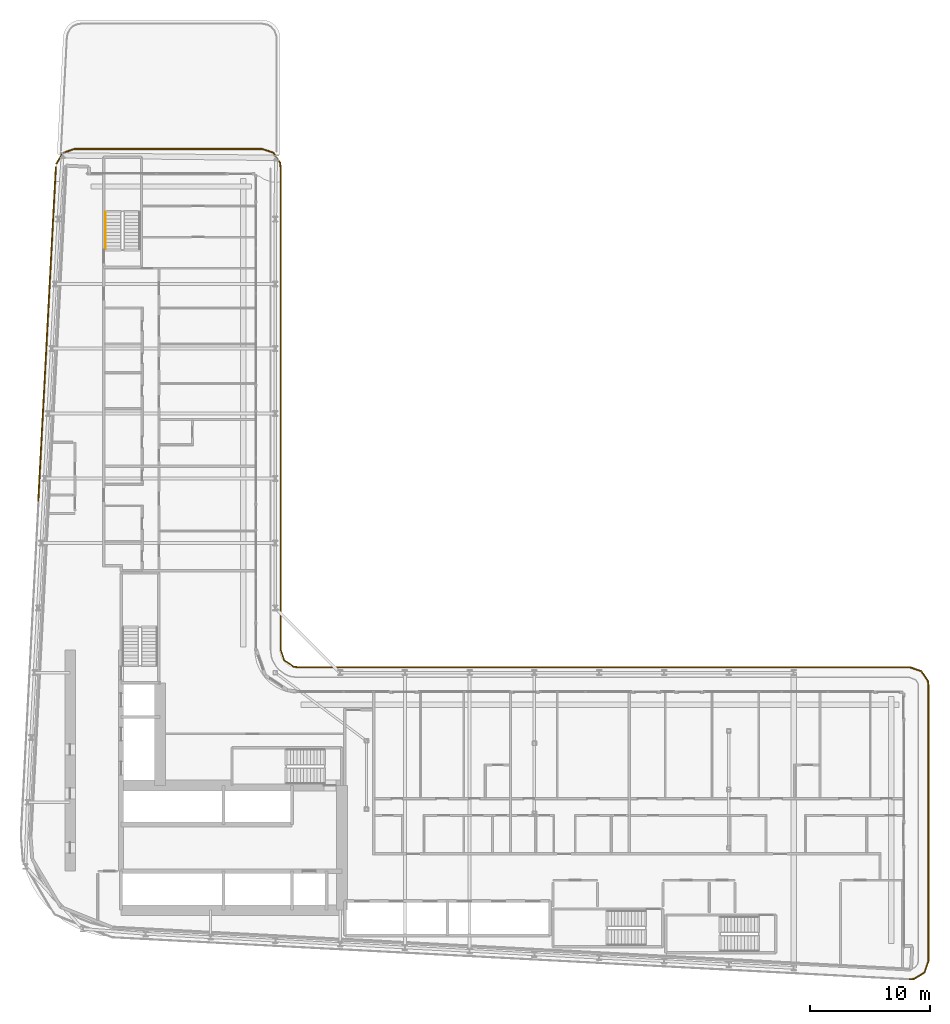
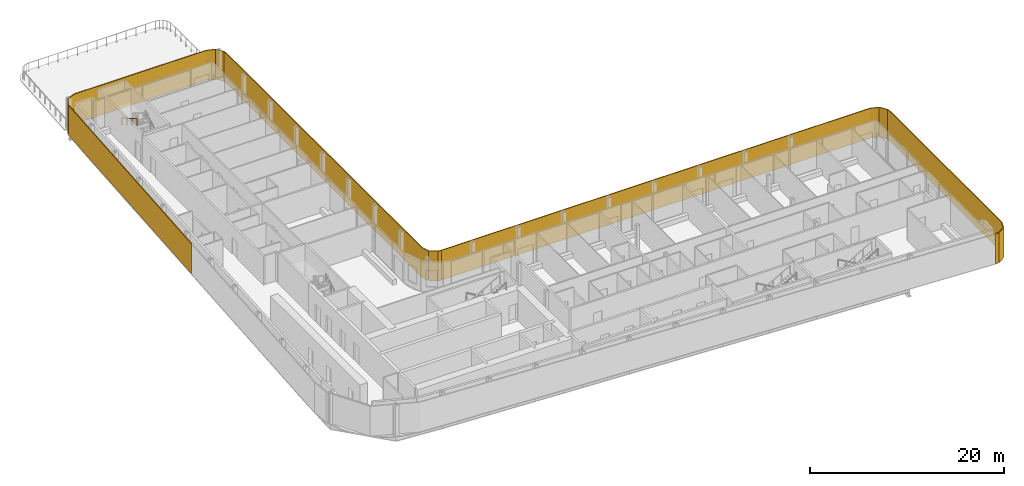
# One storey, part 25 of 28: 3 shading devices, 1 railing.
"""IFC4 building model written with IfcOpenShell, lengths in metres."""

from ifc_helpers import new_model, si_unit, direction, frame, origin, origin_2d, place, context, subcontext, project, spatial, polyline, rectangle, circle, outline, extrude, material, layer, layer_set, type_object, element, save


model = new_model("IFC4")

# Units and contexts
model_context = context("Model", 3, precision=1e-05, world=origin(), true_north=direction((0.0, 1.0)))
body_context = subcontext(model_context, "Body", "Model", "MODEL_VIEW")
ifc_project = project(units=[si_unit("LENGTHUNIT", "METRE"), si_unit("AREAUNIT", "SQUARE_METRE"), si_unit("VOLUMEUNIT", "CUBIC_METRE"), si_unit("PLANEANGLEUNIT", "RADIAN"), si_unit("MASSUNIT", "GRAM", prefix="KILO")], contexts=[model_context])

# Site, building, storey
site_placement = place(None, origin())
site = spatial("IfcSite", under=ifc_project, at=site_placement, CompositionType="ELEMENT")
building_placement = place(site_placement, origin())
building = spatial("IfcBuilding", under=site, at=building_placement, Name="Kheshtan School and Residences Tower", CompositionType="ELEMENT")
storey_placement = place(building_placement, frame((0.0, 0.0, 94.10009765625)))
storey = spatial("IfcBuildingStorey", under=building, at=storey_placement, Name="L21", CompositionType="ELEMENT", Elevation=94.10009765625)

# Shading devices
ifc_material_1 = material(Name="Terracotta baguette, extruded ceramic", Category="masonry")
ifc_layer_1 = layer(ifc_material_1, 0.10009765625)
ifc_layer_set_1 = layer_set([ifc_layer_1], Name="Ledge screen, terracotta baguettes")
shading_device_type_1 = type_object("IfcShadingDeviceType", Name="Ledge screen, terracotta baguettes", PredefinedType="USERDEFINED", material=ifc_layer_set_1)
shading_device_1_placement = place(storey_placement, frame((28.572998046875, 73.833984375, 0.0), z_axis=(0.0, 0.0, 1.0), x_axis=(0.052562536748, 0.998617634398, 0.0)))
element("IfcShadingDevice", 1, at=shading_device_1_placement, inside=storey, type_object=shading_device_type_1, Name="Screen L21 5", ObjectType="BAGUETTE", PredefinedType="USERDEFINED", context=body_context, shape_type="SweptSolid", body=[
    extrude(rectangle(XDim=27.93408203125, YDim=0.10009765625, at=origin_2d()), origin(), (0.0, 0.0, 1.0), 3.75),
])
ifc_material_2 = material(Name="Terracotta lattice, extruded ceramic", Category="masonry")
ifc_layer_2 = layer(ifc_material_2, 0.10009765625)
ifc_layer_set_2 = layer_set([ifc_layer_2], Name="Loggia screen, terracotta lattice")
shading_device_type_2 = type_object("IfcShadingDeviceType", Name="Loggia screen, terracotta lattice", PredefinedType="USERDEFINED", material=ifc_layer_set_2)
shading_device_2_placement = place(storey_placement, origin())
element("IfcShadingDevice", 2, at=shading_device_2_placement, inside=storey, type_object=shading_device_type_2, Name="Screen L21 1", ObjectType="SCREEN", PredefinedType="USERDEFINED", context=body_context, shape_type="SweptSolid", body=[
    extrude(outline(polyline([(29.382080078125, 87.98388671875), (29.89990234375, 88.85693359375), (30.85498046875, 89.199951171875), (46.5, 89.199951171875), (47.4130859375, 88.889892578125), (47.948974609375, 88.087890625), (48.0, 87.699951171875), (48.0, 47.5), (48.31005859375, 46.5869140625), (49.112060546875, 46.051025390625), (49.5, 46.0), (49.512939453125, 46.09912109375), (49.14794921875, 46.14697265625), (48.39404296875, 46.65087890625), (48.10009765625, 47.51708984375), (48.10009765625, 87.70703125), (48.044921875, 88.1240234375), (47.47705078125, 88.97412109375), (46.51708984375, 89.300048828125), (30.837890625, 89.300048828125), (29.83203125, 88.93896484375), (29.2958984375, 88.034912109375), (29.382080078125, 87.98388671875)])), origin(), (0.0, 0.0, 1.0), 3.75),
])
shading_device_3_placement = place(storey_placement, origin())
element("IfcShadingDevice", 3, at=shading_device_3_placement, inside=storey, type_object=shading_device_type_2, Name="Screen L21 2", ObjectType="SCREEN", PredefinedType="USERDEFINED", context=body_context, shape_type="SweptSolid", body=[
    extrude(outline(polyline([(49.5, 46.0), (100.5, 46.0), (101.4130859375, 45.68994140625), (101.948974609375, 44.887939453125), (102.0, 44.5), (102.0, 21.5810546875), (101.669921875, 20.64208984375), (100.823974609375, 20.116943359375), (100.4208984375, 20.0830078125), (100.428955078125, 19.98291015625), (100.85595703125, 20.01904296875), (101.7529296875, 20.575927734375), (102.10009765625, 21.56396484375), (102.10009765625, 44.507080078125), (102.044921875, 44.924072265625), (101.47705078125, 45.77392578125), (100.51708984375, 46.10009765625), (49.5, 46.10009765625), (49.5, 46.0)])), origin(), (0.0, 0.0, 1.0), 3.75),
])

# Railing
ifc_material_3 = material(Name="Stainless steel handrail", Category="steel")
railing_type = type_object("IfcRailingType", Name="Stair handrail 900", PredefinedType="HANDRAIL", material=ifc_material_3)
railing_placement = place(storey_placement, frame((33.449951171875, 83.97998046875, 2.1123046875)))
element("IfcRailing", 4, at=railing_placement, inside=storey, type_object=railing_type, Name="L21 ST3 stair handrail 2", PredefinedType="HANDRAIL", context=body_context, shape_type="SweptSolid", body=[
    extrude(circle(Radius=0.02392578125, at=origin_2d()), frame((0.0, 0.0, 0.8759765625), z_axis=(0.0, -0.864890721111, 0.501960198159), x_axis=(1.0, 0.0, 0.0)), (0.0, 0.0, 1.0), 3.561279296875),
    extrude(circle(Radius=0.02099609375, at=origin_2d()), origin(), (0.0, 0.0, 1.0), 0.851806640625),
    extrude(circle(Radius=0.02099609375, at=origin_2d()), frame((0.0, -1.026611328125, 0.595947265625)), (0.0, 0.0, 1.0), 0.851806640625),
    extrude(circle(Radius=0.02099609375, at=origin_2d()), frame((0.0, -2.053466796875, 1.191650390625)), (0.0, 0.0, 1.0), 0.851806640625),
    extrude(circle(Radius=0.02099609375, at=origin_2d()), frame((0.0, -3.080078125, 1.78759765625)), (0.0, 0.0, 1.0), 0.851806640625),
])

save(model, "model.ifc")
